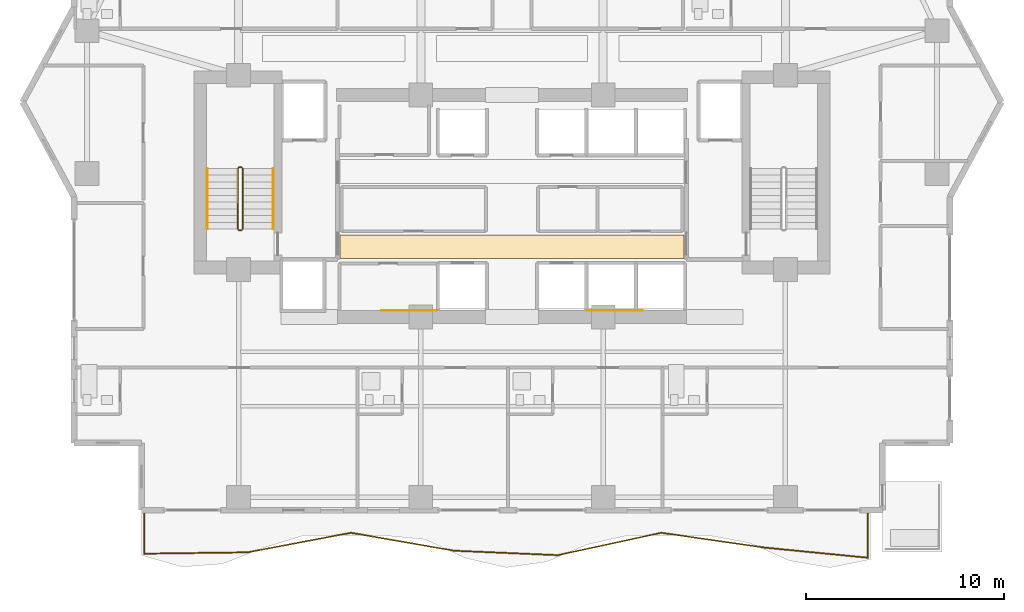
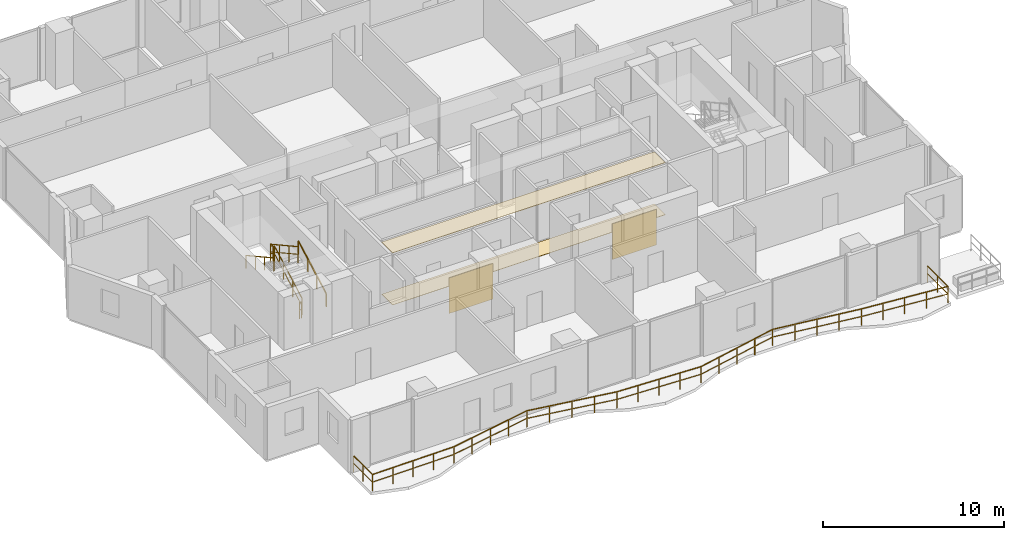
# One storey, part 30 of 33: 7 railings, 4 coverings.
"""IFC4 building model written with IfcOpenShell, lengths in metres."""

import ifcopenshell
import ifcopenshell.guid

model = None  # the IFC model being written
_history = None  # IfcOwnerHistory: only IFC2X3 demands one
_inside = {}  # id of a spatial element -> (the spatial element, [elements in it])
_under = {}  # id of a project, library or spatial element -> (it, [spatial elements below it])
_declared = {}  # id of a project -> (the project, [libraries it declares])
_typed = {}  # id of a type object -> (the type object, [elements of that type])
_made_of = {}  # id of a material, layer set ... -> (it, [elements and type objects made of it])


def new_model(schema):
    """Start an empty IFC model of exactly this schema.

    Asked for "IFC4X3", IfcOpenShell would pick the latest addendum, in which some entities
    have other attributes; the version numbers below select the first issue.
    IFC2X3 requires an IfcOwnerHistory on every rooted entity: one is made here for all.
    """
    global model, _history
    if schema == "IFC4X3":
        model = ifcopenshell.file(schema_version=(4, 3, 0, 0))
    else:
        model = ifcopenshell.file(schema=schema)
    _inside.clear()
    _under.clear()
    _declared.clear()
    _typed.clear()
    _made_of.clear()
    _history = None
    if model.schema == "IFC2X3":
        org = make("IfcOrganization", Name="unknown")
        user = make(
            "IfcPersonAndOrganization",
            ThePerson=make("IfcPerson", FamilyName="unknown"),
            TheOrganization=org,
        )
        app = make(
            "IfcApplication",
            ApplicationDeveloper=org,
            Version="unknown",
            ApplicationFullName="unknown",
            ApplicationIdentifier="unknown",
        )
        _history = make(
            "IfcOwnerHistory",
            OwningUser=user,
            OwningApplication=app,
            ChangeAction="ADDED",
            CreationDate=0,
        )
    return model


def make(cls, **values):
    """One entity of the class cls with the attributes given. An attribute that is None is left unset."""
    return model.create_entity(
        cls, **{name: value for name, value in values.items() if value is not None}
    )


def rooted(cls, **values):
    """An entity with a GlobalId (a new one), such as an element, a storey or a relation."""
    return make(cls, GlobalId=ifcopenshell.guid.new(), OwnerHistory=_history, **values)


def si_unit(unit_type, name, prefix=None):
    """IfcSIUnit, for example si_unit("LENGTHUNIT", "METRE", prefix="MILLI")."""
    return make("IfcSIUnit", UnitType=unit_type, Prefix=prefix, Name=name)


def assignment(units):
    """IfcUnitAssignment: the units of a project."""
    return None if units is None else make("IfcUnitAssignment", Units=units)


def point(xyz):
    """IfcCartesianPoint."""
    return None if xyz is None else make("IfcCartesianPoint", Coordinates=xyz)


def direction(xyz):
    """IfcDirection."""
    return None if xyz is None else make("IfcDirection", DirectionRatios=xyz)


def frame(location, z_axis=None, x_axis=None):
    """IfcAxis2Placement3D, a coordinate frame: its origin and axes. An axis left out is left unset."""
    return make(
        "IfcAxis2Placement3D",
        Location=point(location),
        Axis=direction(z_axis),
        RefDirection=direction(x_axis),
    )


def frame_2d(location, x_axis=None):
    """IfcAxis2Placement2D, a coordinate frame in the plane: its origin and x axis."""
    return make(
        "IfcAxis2Placement2D", Location=point(location), RefDirection=direction(x_axis)
    )


def origin():
    """The frame at (0, 0, 0) with its axes left unset."""
    return frame((0.0, 0.0, 0.0))


def origin_2d():
    """The frame at (0, 0) in the plane with its x axis left unset."""
    return frame_2d((0.0, 0.0))


def place(relative_to, where):
    """IfcLocalPlacement: puts the frame where relative to a parent placement (None: the world)."""
    return make(
        "IfcLocalPlacement", PlacementRelTo=relative_to, RelativePlacement=where
    )


def context(
    kind, dimensions, precision=None, world=None, true_north=None, identifier=None
):
    """IfcGeometricRepresentationContext, for example the 3D "Model" context."""
    return make(
        "IfcGeometricRepresentationContext",
        ContextIdentifier=identifier,
        ContextType=kind,
        CoordinateSpaceDimension=dimensions,
        Precision=precision,
        WorldCoordinateSystem=world,
        TrueNorth=true_north,
    )


def subcontext(parent, identifier, kind, view, scale=None):
    """IfcGeometricRepresentationSubContext, for example "Body" below "Model"."""
    return make(
        "IfcGeometricRepresentationSubContext",
        ContextIdentifier=identifier,
        ContextType=kind,
        ParentContext=parent,
        TargetScale=scale,
        TargetView=view,
    )


def project(units=None, contexts=None):
    """IfcProject with its units and contexts."""
    return rooted(
        "IfcProject",
        Name="project",
        RepresentationContexts=contexts,
        UnitsInContext=assignment(units),
    )


def spatial(cls, under=None, at=None, **own):
    """A site, building, storey or space (cls), placed at a placement, below another one or the project."""
    s = rooted(cls, ObjectPlacement=at, **own)
    if under is not None:
        _under.setdefault(under.id(), (under, []))[1].append(s)
    return s


def polyline(points):
    """IfcPolyline through the points."""
    return make("IfcPolyline", Points=[point(p) for p in points])


def profile(cls, at=None, kind="AREA", **sizes):
    """A parametric profile (cls). Its sizes go by their IFC names, for example OverallWidth=200.0."""
    return make(cls, ProfileType=kind, Position=at, **sizes)


def rectangle(**sizes):
    """IfcRectangleProfileDef."""
    return profile("IfcRectangleProfileDef", **sizes)


def outline(outer, holes=None, kind="AREA"):
    """IfcArbitraryClosedProfileDef: a profile drawn as a closed curve; with holes, ...WithVoids."""
    if holes is None:
        return make("IfcArbitraryClosedProfileDef", ProfileType=kind, OuterCurve=outer)
    return make(
        "IfcArbitraryProfileDefWithVoids",
        ProfileType=kind,
        OuterCurve=outer,
        InnerCurves=holes,
    )


def extrude(swept, where, along, depth):
    """IfcExtrudedAreaSolid: the profile swept, set in the frame where, extruded along a direction by depth."""
    return make(
        "IfcExtrudedAreaSolid",
        SweptArea=swept,
        Position=where,
        ExtrudedDirection=direction(along),
        Depth=depth,
    )


def shape(context_of_items, identifier, shape_type, items):
    """IfcShapeRepresentation: the items that make up one representation, for example the "Body"."""
    return make(
        "IfcShapeRepresentation",
        ContextOfItems=context_of_items,
        RepresentationIdentifier=identifier,
        RepresentationType=shape_type,
        Items=items,
    )


def material(Name=None, Category=None):
    """IfcMaterial."""
    return make("IfcMaterial", Name=Name, Category=Category)


def layer(
    of_material, thickness, ventilated=None, Name=None, Category=None, Priority=None
):
    """IfcMaterialLayer: one layer of a wall or slab, of a material (None: an air gap)."""
    return make(
        "IfcMaterialLayer",
        Material=of_material,
        LayerThickness=thickness,
        IsVentilated=ventilated,
        Name=Name,
        Category=Category,
        Priority=Priority,
    )


def layer_set(layers, Name=None):
    """IfcMaterialLayerSet."""
    return make("IfcMaterialLayerSet", MaterialLayers=layers, LayerSetName=Name)


def made_of(thing, what):
    """Note that an element or type object is made of a material, layer set ...; save() writes the relation."""
    if what is not None:
        _made_of.setdefault(what.id(), (what, []))[1].append(thing)
    return thing


def type_object(cls, material=None, **own):
    """A type object (cls), such as IfcWallType, which elements share."""
    return made_of(rooted(cls, **own), material)


def element(
    cls,
    number,
    at=None,
    inside=None,
    cuts=None,
    type_object=None,
    material=None,
    context=None,
    identifier="Body",
    shape_type=None,
    held_by="IfcProductDefinitionShape",
    body=None,
    shapes=None,
    **own,
):
    """One element of the class cls, such as IfcWall. Its Tag is "e" and its number.

    at: its placement. inside: the storey or other place that contains it. cuts: it is an
    opening in that element (IfcRelVoidsElement). A single representation is given by context,
    identifier, shape_type and body (its items); several are given by shapes. held_by: the class
    of the entity that holds the representations. save() writes the other relations.
    """
    e = rooted(cls, Tag="e%d" % number, ObjectPlacement=at, **own)
    if body is not None:
        shapes = [shape(context, identifier, shape_type, body)]
    if shapes is not None:
        e.Representation = make(held_by, Representations=shapes)
    if inside is not None:
        _inside.setdefault(inside.id(), (inside, []))[1].append(e)
    if cuts is not None:
        rooted(
            "IfcRelVoidsElement", RelatingBuildingElement=cuts, RelatedOpeningElement=e
        )
    if type_object is not None:
        _typed.setdefault(type_object.id(), (type_object, []))[1].append(e)
    return made_of(e, material)


def aggregate(whole, parts):
    """IfcRelAggregates: a whole, such as a stair, and the parts it consists of."""
    return rooted("IfcRelAggregates", RelatingObject=whole, RelatedObjects=parts)


def save(model, path):
    """Write the relations noted so far, then the file.

    IfcRelAggregates (storeys below a building ...), IfcRelContainedInSpatialStructure (elements
    in a storey), IfcRelDefinesByType, IfcRelAssociatesMaterial and IfcRelDeclares: one each for
    every whole, place, type object, material and project.
    """
    for whole, parts in _under.values():
        aggregate(whole, parts)
    for where, things in _inside.values():
        rooted(
            "IfcRelContainedInSpatialStructure",
            RelatedElements=things,
            RelatingStructure=where,
        )
    for kind, things in _typed.values():
        rooted("IfcRelDefinesByType", RelatedObjects=things, RelatingType=kind)
    for what, things in _made_of.values():
        rooted("IfcRelAssociatesMaterial", RelatedObjects=things, RelatingMaterial=what)
    for by, libraries in _declared.values():
        rooted("IfcRelDeclares", RelatingContext=by, RelatedDefinitions=libraries)
    model.write(path)


model = new_model("IFC4")

# Units and contexts
model_context = context("Model", 3, precision=1e-05, world=origin(), true_north=direction((0.0, 1.0)))
body_context = subcontext(model_context, "Body", "Model", "MODEL_VIEW")
ifc_project = project(units=[si_unit("LENGTHUNIT", "METRE"), si_unit("AREAUNIT", "SQUARE_METRE"), si_unit("VOLUMEUNIT", "CUBIC_METRE"), si_unit("PLANEANGLEUNIT", "RADIAN"), si_unit("MASSUNIT", "GRAM", prefix="KILO")], contexts=[model_context])

# Site, building, storey
site_placement = place(None, origin())
site = spatial("IfcSite", under=ifc_project, at=site_placement, CompositionType="ELEMENT")
building_placement = place(site_placement, origin())
building = spatial("IfcBuilding", under=site, at=building_placement, Name="Zuhayl Quay Hotel", CompositionType="ELEMENT")
storey_placement = place(building_placement, frame((0.0, 0.0, 199.89990234375)))
storey = spatial("IfcBuildingStorey", under=building, at=storey_placement, Name="L50", CompositionType="ELEMENT", Elevation=199.89990234375)

# Coverings
ifc_material_1 = material(Name="Acoustic Mineral-Fibre Gypsum Board")
ifc_layer_1 = layer(ifc_material_1, 0.02490234375, Name="Acoustic Mineral-Fibre Gypsum Board")
ifc_layer_set_1 = layer_set([ifc_layer_1], Name="Acoustic Mineral-Fibre Gypsum Board")
covering_type_1 = type_object("IfcCoveringType", Name="CV_CEIL_ACOUSTIC", PredefinedType="CEILING", material=ifc_layer_set_1)
covering_1_placement = place(storey_placement, frame((0.0, 0.0, 3.505126953125)))
element("IfcCovering", 1, at=covering_1_placement, inside=storey, type_object=covering_type_1, Name="L50 Suspended Acoustic Lobby Ceiling S", PredefinedType="CEILING", context=body_context, shape_type="SweptSolid", body=[
    extrude(outline(polyline([(-8.679931640625, 5.10009765625), (8.679931640625, 5.10009765625), (8.679931640625, 6.300048828125), (-8.679931640625, 6.300048828125), (-8.679931640625, 5.10009765625)])), origin(), (0.0, 0.0, 1.0), 0.02490234375),
])
ifc_material_2 = material(Name="Polished Limestone Terrazzo", Category="masonry")
ifc_layer_2 = layer(ifc_material_2, 0.02001953125, Name="Polished Limestone Terrazzo", Category="masonry")
ifc_layer_set_2 = layer_set([ifc_layer_2], Name="Polished Limestone Terrazzo")
covering_type_2 = type_object("IfcCoveringType", Name="CV_FLOOR_TERRAZZO", PredefinedType="FLOORING", material=ifc_layer_set_2)
covering_2_placement = place(storey_placement, origin())
element("IfcCovering", 2, at=covering_2_placement, inside=storey, type_object=covering_type_2, Name="L50 Honed Limestone Terrazzo Lobby Flooring S", PredefinedType="FLOORING", context=body_context, shape_type="SweptSolid", body=[
    extrude(outline(polyline([(-8.679931640625, 5.10009765625), (8.679931640625, 5.10009765625), (8.679931640625, 6.300048828125), (-8.679931640625, 6.300048828125), (-8.679931640625, 5.10009765625)])), origin(), (0.0, 0.0, 1.0), 0.02001953125),
])
ifc_material_3 = material(Name="Acoustic Walnut Feature Timber", Category="wood")
ifc_layer_3 = layer(ifc_material_3, 0.02197265625, Name="Acoustic Walnut Feature Timber", Category="wood")
ifc_layer_set_3 = layer_set([ifc_layer_3], Name="Acoustic Walnut Feature Timber")
covering_type_3 = type_object("IfcCoveringType", Name="CV_WALL_CLAD", PredefinedType="CLADDING", material=ifc_layer_set_3)
for number, where, z_axis, x_axis, name in (
    (3, (-5.199951171875, 2.486083984375, 0.300048828125), (0.0, 0.0, 1.0), (1.0, 0.0, 0.0), "L50 Feature Lobby Walnut Wall Cladding W"),
    (4, (5.199951171875, 2.486083984375, 0.300048828125), (0.0, 0.0, 1.0), (1.0, 0.0, 0.0), "L50 Feature Lobby Walnut Wall Cladding E"),
):
    element("IfcCovering", number, at=place(storey_placement, frame(where, z_axis=z_axis, x_axis=x_axis)), inside=storey, type_object=covering_type_3, Name=name, PredefinedType="CLADDING", context=body_context, shape_type="SweptSolid", body=[
        extrude(rectangle(XDim=2.800048828125, YDim=0.02197265625, at=origin_2d()), origin(), (0.0, 0.0, 1.0), 2.39990234375),
    ])

# Railings
ifc_material_4 = material(Name="Anodised Aluminium and Laminated Glass", Category="aluminium")
railing_type_1 = type_object("IfcRailingType", Name="RL_EXT_BAL_1100", PredefinedType="BALUSTRADE", material=ifc_material_4)
railing_1_placement = place(storey_placement, frame((-18.56005859375, -7.719970703125, 0.0)))
element("IfcRailing", 5, at=railing_1_placement, inside=storey, type_object=railing_type_1, Name="L50 Balcony and Terrace Guard GR_L50_BAL_S", PredefinedType="BALUSTRADE", context=body_context, shape_type="SweptSolid", body=[
    extrude(rectangle(XDim=0.048095703125, YDim=0.048095703125, at=origin_2d()), frame((0.0, 0.0, 1.09619140625), z_axis=(0.0, -1.0, 0.0), x_axis=(1.0, 0.0, 0.0)), (0.0, 0.0, 1.0), 2.073486328125),
    extrude(rectangle(XDim=0.0361328125, YDim=0.0361328125, at=origin_2d()), frame((0.0, 0.0, 0.58251953125), z_axis=(0.0, -1.0, 0.0), x_axis=(1.0, 0.0, 0.0)), (0.0, 0.0, 1.0), 2.073486328125),
    extrude(rectangle(XDim=0.048095703125, YDim=0.048095703125, at=origin_2d()), frame((0.0, -2.073486328125, 1.09619140625), z_axis=(0.999913551407, 0.013148753238, 0.0), x_axis=(-0.013148753238, 0.999913551407, 0.0)), (0.0, 0.0, 1.0), 5.217529296875),
    extrude(rectangle(XDim=0.0361328125, YDim=0.0361328125, at=origin_2d()), frame((0.0, -2.073486328125, 0.58251953125), z_axis=(0.999913551407, 0.013148753238, 0.0), x_axis=(-0.013148753238, 0.999913551407, 0.0)), (0.0, 0.0, 1.0), 5.217529296875),
    extrude(rectangle(XDim=0.048095703125, YDim=0.048095703125, at=origin_2d()), frame((5.217041015625, -2.0048828125, 1.09619140625), z_axis=(0.982645526923, 0.185493310978, 0.0), x_axis=(-0.185493310978, 0.982645526923, 0.0)), (0.0, 0.0, 1.0), 5.309326171875),
    extrude(rectangle(XDim=0.0361328125, YDim=0.0361328125, at=origin_2d()), frame((5.217041015625, -2.0048828125, 0.58251953125), z_axis=(0.982645526923, 0.185493310978, 0.0), x_axis=(-0.185493310978, 0.982645526923, 0.0)), (0.0, 0.0, 1.0), 5.309326171875),
    extrude(rectangle(XDim=0.048095703125, YDim=0.048095703125, at=origin_2d()), frame((10.434326171875, -1.02001953125, 1.09619140625), z_axis=(0.985307710032, -0.170788514107, 0.0), x_axis=(0.170788514107, 0.985307710032, 0.0)), (0.0, 0.0, 1.0), 5.294921875),
    extrude(rectangle(XDim=0.0361328125, YDim=0.0361328125, at=origin_2d()), frame((10.434326171875, -1.02001953125, 0.58251953125), z_axis=(0.985307710032, -0.170788514107, 0.0), x_axis=(0.170788514107, 0.985307710032, 0.0)), (0.0, 0.0, 1.0), 5.294921875),
    extrude(rectangle(XDim=0.048095703125, YDim=0.048095703125, at=origin_2d()), frame((15.6513671875, -1.92431640625, 1.09619140625), z_axis=(0.999084609279, -0.042777838909, 0.0), x_axis=(0.042777838909, 0.999084609279, 0.0)), (0.0, 0.0, 1.0), 5.22216796875),
    extrude(rectangle(XDim=0.0361328125, YDim=0.0361328125, at=origin_2d()), frame((15.6513671875, -1.92431640625, 0.58251953125), z_axis=(0.999084609279, -0.042777838909, 0.0), x_axis=(0.042777838909, 0.999084609279, 0.0)), (0.0, 0.0, 1.0), 5.22216796875),
    extrude(rectangle(XDim=0.048095703125, YDim=0.048095703125, at=origin_2d()), frame((20.86865234375, -2.147705078125, 1.09619140625), z_axis=(0.977426676105, 0.211274922408, 0.0), x_axis=(-0.211274922408, 0.977426676105, 0.0)), (0.0, 0.0, 1.0), 5.337646484375),
    extrude(rectangle(XDim=0.0361328125, YDim=0.0361328125, at=origin_2d()), frame((20.86865234375, -2.147705078125, 0.58251953125), z_axis=(0.977426676105, 0.211274922408, 0.0), x_axis=(-0.211274922408, 0.977426676105, 0.0)), (0.0, 0.0, 1.0), 5.337646484375),
    extrude(rectangle(XDim=0.048095703125, YDim=0.048095703125, at=origin_2d()), frame((26.085693359375, -1.02001953125, 1.09619140625), z_axis=(0.989955051839, -0.141382443529, 0.0), x_axis=(0.141382443529, 0.989955051839, 0.0)), (0.0, 0.0, 1.0), 5.270263671875),
    extrude(rectangle(XDim=0.0361328125, YDim=0.0361328125, at=origin_2d()), frame((26.085693359375, -1.02001953125, 0.58251953125), z_axis=(0.989955051839, -0.141382443529, 0.0), x_axis=(0.141382443529, 0.989955051839, 0.0)), (0.0, 0.0, 1.0), 5.270263671875),
    extrude(rectangle(XDim=0.048095703125, YDim=0.048095703125, at=origin_2d()), frame((31.302978515625, -1.76513671875, 1.09619140625), z_axis=(0.99523756604, -0.097479162606, 0.0), x_axis=(0.097479162606, 0.99523756604, 0.0)), (0.0, 0.0, 1.0), 5.241943359375),
    extrude(rectangle(XDim=0.0361328125, YDim=0.0361328125, at=origin_2d()), frame((31.302978515625, -1.76513671875, 0.58251953125), z_axis=(0.99523756604, -0.097479162606, 0.0), x_axis=(0.097479162606, 0.99523756604, 0.0)), (0.0, 0.0, 1.0), 5.241943359375),
    extrude(rectangle(XDim=0.048095703125, YDim=0.048095703125, at=origin_2d()), frame((36.52001953125, -2.276123046875, 1.09619140625), z_axis=(0.0, 1.0, 0.0), x_axis=(-1.0, 0.0, 0.0)), (0.0, 0.0, 1.0), 2.276123046875),
    extrude(rectangle(XDim=0.0361328125, YDim=0.0361328125, at=origin_2d()), frame((36.52001953125, -2.276123046875, 0.58251953125), z_axis=(0.0, 1.0, 0.0), x_axis=(-1.0, 0.0, 0.0)), (0.0, 0.0, 1.0), 2.276123046875),
    extrude(rectangle(XDim=0.0419921875, YDim=0.0419921875, at=origin_2d()), origin(), (0.0, 0.0, 1.0), 1.072021484375),
    extrude(rectangle(XDim=0.0419921875, YDim=0.0419921875, at=origin_2d()), frame((0.0, -1.03662109375, 0.0)), (0.0, 0.0, 1.0), 1.072021484375),
    extrude(rectangle(XDim=0.0419921875, YDim=0.0419921875, at=origin_2d()), frame((0.0, -2.073486328125, 0.0)), (0.0, 0.0, 1.0), 1.072021484375),
    extrude(rectangle(XDim=0.0419921875, YDim=0.0419921875, at=origin_2d()), frame((1.30419921875, -2.056396484375, 0.0)), (0.0, 0.0, 1.0), 1.072021484375),
    extrude(rectangle(XDim=0.0419921875, YDim=0.0419921875, at=origin_2d()), frame((2.6083984375, -2.0390625, 0.0)), (0.0, 0.0, 1.0), 1.072021484375),
    extrude(rectangle(XDim=0.0419921875, YDim=0.0419921875, at=origin_2d()), frame((3.912841796875, -2.02197265625, 0.0)), (0.0, 0.0, 1.0), 1.072021484375),
    extrude(rectangle(XDim=0.0419921875, YDim=0.0419921875, at=origin_2d()), frame((5.217041015625, -2.0048828125, 0.0)), (0.0, 0.0, 1.0), 1.072021484375),
    extrude(rectangle(XDim=0.0419921875, YDim=0.0419921875, at=origin_2d()), frame((6.521484375, -1.7587890625, 0.0)), (0.0, 0.0, 1.0), 1.072021484375),
    extrude(rectangle(XDim=0.0419921875, YDim=0.0419921875, at=origin_2d()), frame((7.82568359375, -1.512451171875, 0.0)), (0.0, 0.0, 1.0), 1.072021484375),
    extrude(rectangle(XDim=0.0419921875, YDim=0.0419921875, at=origin_2d()), frame((9.1298828125, -1.26611328125, 0.0)), (0.0, 0.0, 1.0), 1.072021484375),
    extrude(rectangle(XDim=0.0419921875, YDim=0.0419921875, at=origin_2d()), frame((10.434326171875, -1.02001953125, 0.0)), (0.0, 0.0, 1.0), 1.072021484375),
    extrude(rectangle(XDim=0.0419921875, YDim=0.0419921875, at=origin_2d()), frame((11.738525390625, -1.24609375, 0.0)), (0.0, 0.0, 1.0), 1.072021484375),
    extrude(rectangle(XDim=0.0419921875, YDim=0.0419921875, at=origin_2d()), frame((13.04296875, -1.47216796875, 0.0)), (0.0, 0.0, 1.0), 1.072021484375),
    extrude(rectangle(XDim=0.0419921875, YDim=0.0419921875, at=origin_2d()), frame((14.34716796875, -1.6982421875, 0.0)), (0.0, 0.0, 1.0), 1.072021484375),
    extrude(rectangle(XDim=0.0419921875, YDim=0.0419921875, at=origin_2d()), frame((15.6513671875, -1.92431640625, 0.0)), (0.0, 0.0, 1.0), 1.072021484375),
    extrude(rectangle(XDim=0.0419921875, YDim=0.0419921875, at=origin_2d()), frame((16.95556640625, -1.980224609375, 0.0)), (0.0, 0.0, 1.0), 1.072021484375),
    extrude(rectangle(XDim=0.0419921875, YDim=0.0419921875, at=origin_2d()), frame((18.260009765625, -2.0361328125, 0.0)), (0.0, 0.0, 1.0), 1.072021484375),
    extrude(rectangle(XDim=0.0419921875, YDim=0.0419921875, at=origin_2d()), frame((19.564453125, -2.091796875, 0.0)), (0.0, 0.0, 1.0), 1.072021484375),
    extrude(rectangle(XDim=0.0419921875, YDim=0.0419921875, at=origin_2d()), frame((20.86865234375, -2.147705078125, 0.0)), (0.0, 0.0, 1.0), 1.072021484375),
    extrude(rectangle(XDim=0.0419921875, YDim=0.0419921875, at=origin_2d()), frame((22.1728515625, -1.86572265625, 0.0)), (0.0, 0.0, 1.0), 1.072021484375),
    extrude(rectangle(XDim=0.0419921875, YDim=0.0419921875, at=origin_2d()), frame((23.47705078125, -1.583984375, 0.0)), (0.0, 0.0, 1.0), 1.072021484375),
    extrude(rectangle(XDim=0.0419921875, YDim=0.0419921875, at=origin_2d()), frame((24.781494140625, -1.302001953125, 0.0)), (0.0, 0.0, 1.0), 1.072021484375),
    extrude(rectangle(XDim=0.0419921875, YDim=0.0419921875, at=origin_2d()), frame((26.085693359375, -1.02001953125, 0.0)), (0.0, 0.0, 1.0), 1.072021484375),
    extrude(rectangle(XDim=0.0419921875, YDim=0.0419921875, at=origin_2d()), frame((27.39013671875, -1.206298828125, 0.0)), (0.0, 0.0, 1.0), 1.072021484375),
    extrude(rectangle(XDim=0.0419921875, YDim=0.0419921875, at=origin_2d()), frame((28.6943359375, -1.392578125, 0.0)), (0.0, 0.0, 1.0), 1.072021484375),
    extrude(rectangle(XDim=0.0419921875, YDim=0.0419921875, at=origin_2d()), frame((29.99853515625, -1.578857421875, 0.0)), (0.0, 0.0, 1.0), 1.072021484375),
    extrude(rectangle(XDim=0.0419921875, YDim=0.0419921875, at=origin_2d()), frame((31.302978515625, -1.76513671875, 0.0)), (0.0, 0.0, 1.0), 1.072021484375),
    extrude(rectangle(XDim=0.0419921875, YDim=0.0419921875, at=origin_2d()), frame((32.607177734375, -1.892822265625, 0.0)), (0.0, 0.0, 1.0), 1.072021484375),
    extrude(rectangle(XDim=0.0419921875, YDim=0.0419921875, at=origin_2d()), frame((33.91162109375, -2.0205078125, 0.0)), (0.0, 0.0, 1.0), 1.072021484375),
    extrude(rectangle(XDim=0.0419921875, YDim=0.0419921875, at=origin_2d()), frame((35.2158203125, -2.1484375, 0.0)), (0.0, 0.0, 1.0), 1.072021484375),
    extrude(rectangle(XDim=0.0419921875, YDim=0.0419921875, at=origin_2d()), frame((36.52001953125, -2.276123046875, 0.0)), (0.0, 0.0, 1.0), 1.072021484375),
    extrude(rectangle(XDim=0.0419921875, YDim=0.0419921875, at=origin_2d()), frame((36.52001953125, -1.13818359375, 0.0)), (0.0, 0.0, 1.0), 1.072021484375),
    extrude(rectangle(XDim=0.0419921875, YDim=0.0419921875, at=origin_2d()), frame((36.52001953125, 0.0, 0.0)), (0.0, 0.0, 1.0), 1.072021484375),
])
ifc_material_5 = material(Name="Steel ASTM A992 Grade 50", Category="steel")
railing_type_2 = type_object("IfcRailingType", Name="RL_GUARD_1100", PredefinedType="GUARDRAIL", material=ifc_material_5)
railing_2_placement = place(storey_placement, frame((-13.590087890625, 6.590087890625, 0.1875)))
element("IfcRailing", 6, at=railing_2_placement, inside=storey, type_object=railing_type_2, Name="L50 ST1 stair guard 1", PredefinedType="GUARDRAIL", context=body_context, shape_type="SweptSolid", body=[
    extrude(rectangle(XDim=0.048095703125, YDim=0.048095703125, at=origin_2d()), frame((0.0, 0.0, 1.09619140625), z_axis=(0.0, 0.875659195171, 0.482929574485), x_axis=(-1.0, 0.0, 0.0)), (0.0, 0.0, 1.0), 3.494384765625),
    extrude(rectangle(XDim=0.0361328125, YDim=0.0361328125, at=origin_2d()), frame((0.0, 0.0, 0.58251953125), z_axis=(0.0, 0.875659195171, 0.482929574485), x_axis=(-1.0, 0.0, 0.0)), (0.0, 0.0, 1.0), 3.494384765625),
    extrude(rectangle(XDim=0.0419921875, YDim=0.0419921875, at=origin_2d()), origin(), (0.0, 0.0, 1.0), 1.072021484375),
    extrude(rectangle(XDim=0.0419921875, YDim=0.0419921875, at=origin_2d()), frame((0.0, 1.02001953125, 0.5625)), (0.0, 0.0, 1.0), 1.072021484375),
    extrude(rectangle(XDim=0.0419921875, YDim=0.0419921875, at=origin_2d()), frame((0.0, 2.039794921875, 1.125)), (0.0, 0.0, 1.0), 1.072021484375),
    extrude(rectangle(XDim=0.0419921875, YDim=0.0419921875, at=origin_2d()), frame((0.0, 3.059814453125, 1.6875)), (0.0, 0.0, 1.0), 1.072021484375),
])
railing_3_placement = place(storey_placement, frame((-13.639892578125, 9.699951171875, 1.875)))
element("IfcRailing", 7, at=railing_3_placement, inside=storey, type_object=railing_type_2, Name="L50 ST1 stair guard 2", PredefinedType="GUARDRAIL", context=body_context, shape_type="SweptSolid", body=[
    extrude(rectangle(XDim=0.048095703125, YDim=0.048095703125, at=origin_2d()), frame((0.0, 0.0, 1.09619140625), z_axis=(-1.0, 0.0, 0.0), x_axis=(0.0, -1.0, 0.0)), (0.0, 0.0, 1.0), 0.150146484375),
    extrude(rectangle(XDim=0.0361328125, YDim=0.0361328125, at=origin_2d()), frame((0.0, 0.0, 0.58251953125), z_axis=(-1.0, 0.0, 0.0), x_axis=(0.0, -1.0, 0.0)), (0.0, 0.0, 1.0), 0.150146484375),
    extrude(rectangle(XDim=0.0419921875, YDim=0.0419921875, at=origin_2d()), origin(), (0.0, 0.0, 1.0), 1.072021484375),
    extrude(rectangle(XDim=0.0419921875, YDim=0.0419921875, at=origin_2d()), frame((-0.150146484375, 0.0, 0.0)), (0.0, 0.0, 1.0), 1.072021484375),
])
railing_4_placement = place(storey_placement, frame((-13.840087890625, 9.64990234375, 2.0625)))
element("IfcRailing", 8, at=railing_4_placement, inside=storey, type_object=railing_type_2, Name="L50 ST1 stair guard 3", PredefinedType="GUARDRAIL", context=body_context, shape_type="SweptSolid", body=[
    extrude(rectangle(XDim=0.048095703125, YDim=0.048095703125, at=origin_2d()), frame((0.0, 0.0, 1.09619140625), z_axis=(0.0, -0.875659195171, 0.482929574485), x_axis=(1.0, 0.0, 0.0)), (0.0, 0.0, 1.0), 3.494384765625),
    extrude(rectangle(XDim=0.0361328125, YDim=0.0361328125, at=origin_2d()), frame((0.0, 0.0, 0.58251953125), z_axis=(0.0, -0.875659195171, 0.482929574485), x_axis=(1.0, 0.0, 0.0)), (0.0, 0.0, 1.0), 3.494384765625),
    extrude(rectangle(XDim=0.0419921875, YDim=0.0419921875, at=origin_2d()), origin(), (0.0, 0.0, 1.0), 1.072021484375),
    extrude(rectangle(XDim=0.0419921875, YDim=0.0419921875, at=origin_2d()), frame((0.0, -1.02001953125, 0.5625)), (0.0, 0.0, 1.0), 1.072021484375),
    extrude(rectangle(XDim=0.0419921875, YDim=0.0419921875, at=origin_2d()), frame((0.0, -2.039794921875, 1.125)), (0.0, 0.0, 1.0), 1.072021484375),
    extrude(rectangle(XDim=0.0419921875, YDim=0.0419921875, at=origin_2d()), frame((0.0, -3.059814453125, 1.6875)), (0.0, 0.0, 1.0), 1.072021484375),
])
railing_5_placement = place(storey_placement, frame((-13.639892578125, 6.5400390625, 0.0)))
element("IfcRailing", 9, at=railing_5_placement, inside=storey, type_object=railing_type_2, Name="L50 ST1 stair guard 4", PredefinedType="GUARDRAIL", context=body_context, shape_type="SweptSolid", body=[
    extrude(rectangle(XDim=0.048095703125, YDim=0.048095703125, at=origin_2d()), frame((0.0, 0.0, 1.09619140625), z_axis=(-1.0, 0.0, 0.0), x_axis=(0.0, -1.0, 0.0)), (0.0, 0.0, 1.0), 0.150146484375),
    extrude(rectangle(XDim=0.0361328125, YDim=0.0361328125, at=origin_2d()), frame((0.0, 0.0, 0.58251953125), z_axis=(-1.0, 0.0, 0.0), x_axis=(0.0, -1.0, 0.0)), (0.0, 0.0, 1.0), 0.150146484375),
    extrude(rectangle(XDim=0.0419921875, YDim=0.0419921875, at=origin_2d()), origin(), (0.0, 0.0, 1.0), 1.072021484375),
    extrude(rectangle(XDim=0.0419921875, YDim=0.0419921875, at=origin_2d()), frame((-0.150146484375, 0.0, 0.0)), (0.0, 0.0, 1.0), 1.072021484375),
])
railing_type_3 = type_object("IfcRailingType", Name="RL_HANDRAIL_920", PredefinedType="HANDRAIL", material=ifc_material_5)
railing_6_placement = place(storey_placement, frame((-12.050048828125, 6.590087890625, 0.1875)))
element("IfcRailing", 10, at=railing_6_placement, inside=storey, type_object=railing_type_3, Name="L50 ST1 stair handrail 1", PredefinedType="HANDRAIL", context=body_context, shape_type="SweptSolid", body=[
    extrude(rectangle(XDim=0.048095703125, YDim=0.048095703125, at=origin_2d()), frame((0.0, 0.0, 0.8759765625), z_axis=(0.0, 0.875659195171, 0.482929574485), x_axis=(-1.0, 0.0, 0.0)), (0.0, 0.0, 1.0), 3.494384765625),
    extrude(rectangle(XDim=0.0419921875, YDim=0.0419921875, at=origin_2d()), origin(), (0.0, 0.0, 1.0), 0.851806640625),
    extrude(rectangle(XDim=0.0419921875, YDim=0.0419921875, at=origin_2d()), frame((0.0, 1.02001953125, 0.5625)), (0.0, 0.0, 1.0), 0.851806640625),
    extrude(rectangle(XDim=0.0419921875, YDim=0.0419921875, at=origin_2d()), frame((0.0, 2.039794921875, 1.125)), (0.0, 0.0, 1.0), 0.851806640625),
    extrude(rectangle(XDim=0.0419921875, YDim=0.0419921875, at=origin_2d()), frame((0.0, 3.059814453125, 1.6875)), (0.0, 0.0, 1.0), 0.851806640625),
])
railing_7_placement = place(storey_placement, frame((-15.3798828125, 9.64990234375, 2.0625)))
element("IfcRailing", 11, at=railing_7_placement, inside=storey, type_object=railing_type_3, Name="L50 ST1 stair handrail 2", PredefinedType="HANDRAIL", context=body_context, shape_type="SweptSolid", body=[
    extrude(rectangle(XDim=0.048095703125, YDim=0.048095703125, at=origin_2d()), frame((0.0, 0.0, 0.8759765625), z_axis=(0.0, -0.875659195171, 0.482929574485), x_axis=(1.0, 0.0, 0.0)), (0.0, 0.0, 1.0), 3.494384765625),
    extrude(rectangle(XDim=0.0419921875, YDim=0.0419921875, at=origin_2d()), origin(), (0.0, 0.0, 1.0), 0.851806640625),
    extrude(rectangle(XDim=0.0419921875, YDim=0.0419921875, at=origin_2d()), frame((0.0, -1.02001953125, 0.5625)), (0.0, 0.0, 1.0), 0.851806640625),
    extrude(rectangle(XDim=0.0419921875, YDim=0.0419921875, at=origin_2d()), frame((0.0, -2.039794921875, 1.125)), (0.0, 0.0, 1.0), 0.851806640625),
    extrude(rectangle(XDim=0.0419921875, YDim=0.0419921875, at=origin_2d()), frame((0.0, -3.059814453125, 1.6875)), (0.0, 0.0, 1.0), 0.851806640625),
])

save(model, "model.ifc")
